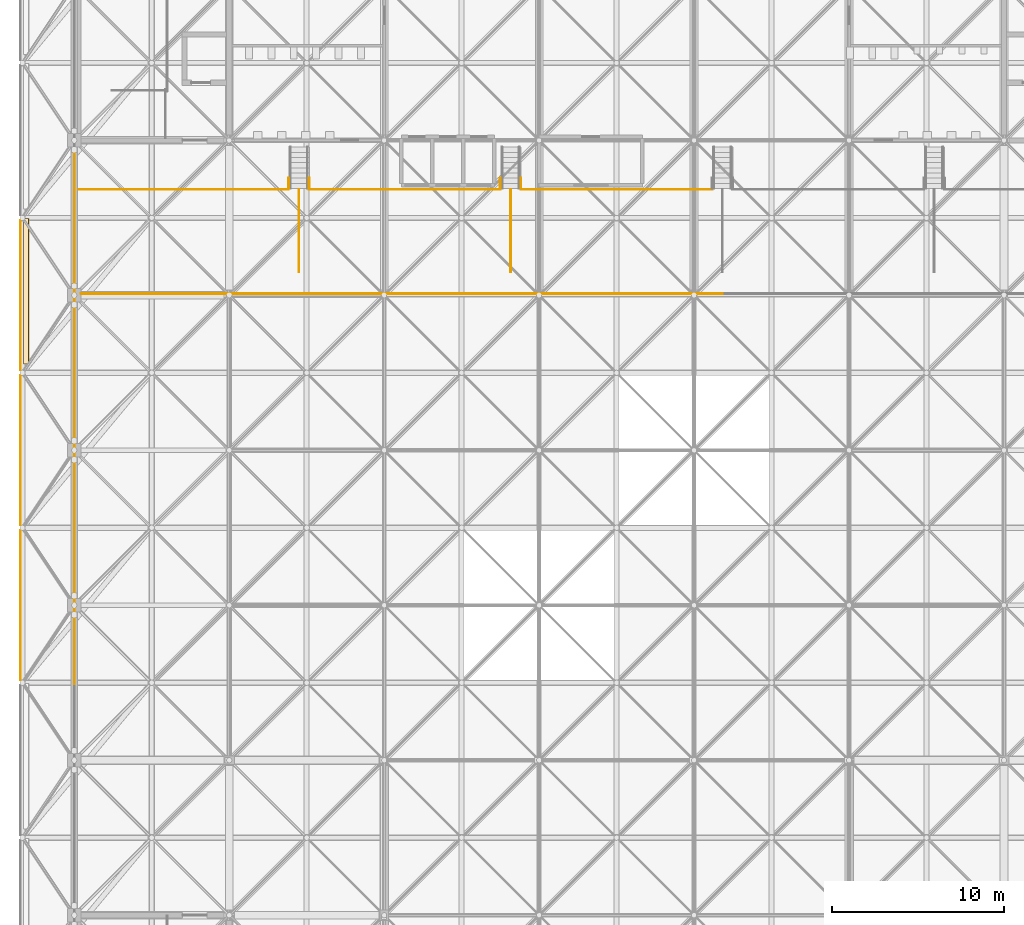
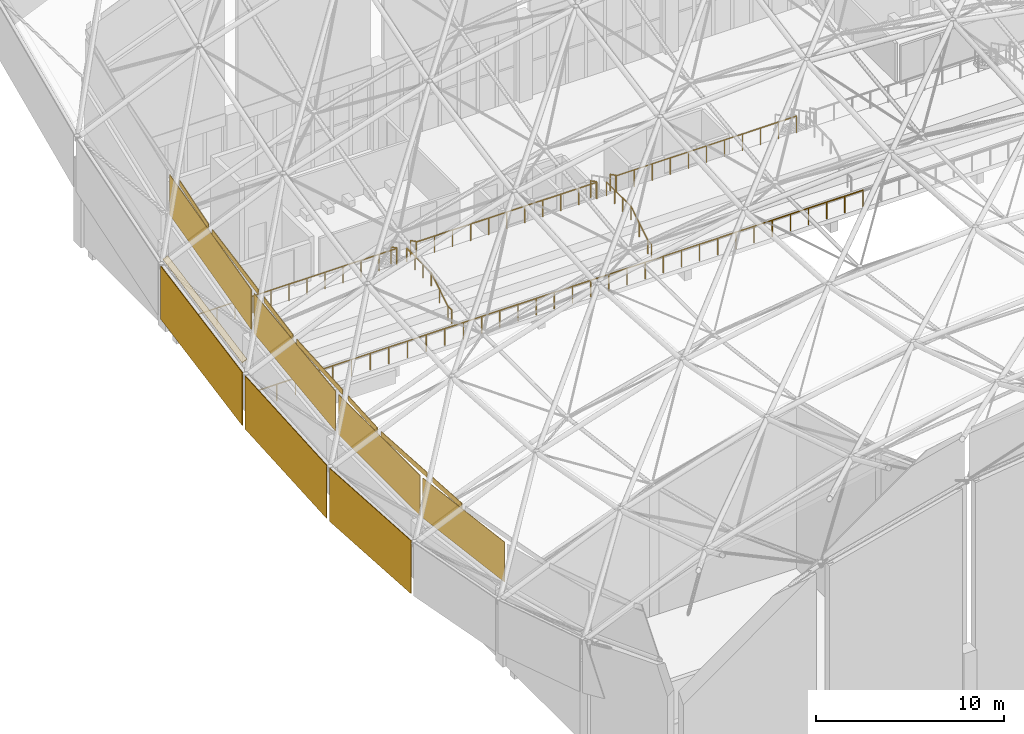
# One storey, part 419 of 437: 15 coverings, 12 railings.
"""IFC4 building model written with IfcOpenShell, lengths in metres."""

from ifc_helpers import new_model, si_unit, direction, frame, origin, origin_2d, place, context, subcontext, project, spatial, polyline, circle, outline, extrude, material, layer, layer_set, constituent, constituent_set, type_object, element, save


model = new_model("IFC4")

# Units and contexts
model_context = context("Model", 3, precision=1e-05, world=origin(), true_north=direction((0.0, 1.0)))
body_context = subcontext(model_context, "Body", "Model", "MODEL_VIEW")
ifc_project = project(units=[si_unit("LENGTHUNIT", "METRE"), si_unit("AREAUNIT", "SQUARE_METRE"), si_unit("VOLUMEUNIT", "CUBIC_METRE"), si_unit("PLANEANGLEUNIT", "RADIAN"), si_unit("MASSUNIT", "GRAM", prefix="KILO")], contexts=[model_context])

# Site, building, storey
site_placement = place(None, origin())
site = spatial("IfcSite", under=ifc_project, at=site_placement, CompositionType="ELEMENT")
building_placement = place(site_placement, origin())
building = spatial("IfcBuilding", under=site, at=building_placement, Name="Opaline Strait Convention Centre", CompositionType="ELEMENT")
storey_placement = place(building_placement, frame((0.0, 0.0, 11.5)))
storey = spatial("IfcBuildingStorey", under=building, at=storey_placement, Name="L02", CompositionType="ELEMENT", Elevation=11.5)

# Railings
ifc_material_1 = material(Name="Stainless steel 304", Category="steel")
railing_type_1 = type_object("IfcRailingType", Name="Aisle handrail 900", PredefinedType="HANDRAIL", material=ifc_material_1)
for number, where, name in (
    (1, (22.050048828125, 163.35009765625, 0.25), "PHR1 Upper Circle aisle 1 handrail"),
    (2, (34.35009765625, 163.35009765625, 0.25), "PHR1 Upper Circle aisle 2 handrail"),
):
    element("IfcRailing", number, at=place(storey_placement, frame(where)), inside=storey, type_object=railing_type_1, Name=name, PredefinedType="HANDRAIL", context=body_context, shape_type="SweptSolid", body=[
        extrude(circle(Radius=0.02392578125, at=origin_2d()), frame((0.0, 0.0, 0.8759765625), z_axis=(0.0, 1.0, 0.0), x_axis=(-1.0, 0.0, 0.0)), (0.0, 0.0, 1.0), 0.39990234375),
        extrude(circle(Radius=0.02392578125, at=origin_2d()), frame((0.0, 0.39990234375, 0.8759765625), z_axis=(0.0, 0.851174308656, 0.524883126309), x_axis=(-1.0, 0.0, 0.0)), (0.0, 0.0, 1.0), 1.05712890625),
        extrude(circle(Radius=0.02392578125, at=origin_2d()), frame((0.0, 1.2998046875, 1.4306640625), z_axis=(0.0, 0.849483496517, 0.527615190405), x_axis=(-1.0, 0.0, 0.0)), (0.0, 0.0, 1.0), 1.0595703125),
        extrude(circle(Radius=0.02392578125, at=origin_2d()), frame((0.0, 2.199951171875, 1.98974609375), z_axis=(0.0, 1.0, 0.0), x_axis=(-1.0, 0.0, 0.0)), (0.0, 0.0, 1.0), 2.599853515625),
        extrude(circle(Radius=0.02099609375, at=origin_2d()), origin(), (0.0, 0.0, 1.0), 0.851806640625),
        extrude(circle(Radius=0.02099609375, at=origin_2d()), frame((0.0, 0.39990234375, 0.0)), (0.0, 0.0, 1.0), 0.851806640625),
        extrude(circle(Radius=0.02099609375, at=origin_2d()), frame((0.0, 1.2998046875, 0.554931640625)), (0.0, 0.0, 1.0), 0.851806640625),
        extrude(circle(Radius=0.02099609375, at=origin_2d()), frame((0.0, 2.199951171875, 1.114013671875)), (0.0, 0.0, 1.0), 0.851806640625),
        extrude(circle(Radius=0.02099609375, at=origin_2d()), frame((0.0, 3.066650390625, 1.114013671875)), (0.0, 0.0, 1.0), 0.851806640625),
        extrude(circle(Radius=0.02099609375, at=origin_2d()), frame((0.0, 3.93310546875, 1.114013671875)), (0.0, 0.0, 1.0), 0.851806640625),
        extrude(circle(Radius=0.02099609375, at=origin_2d()), frame((0.0, 4.7998046875, 1.114013671875)), (0.0, 0.0, 1.0), 0.851806640625),
    ])
ifc_material_2 = material(Name="Steel Q355B", Category="steel")
ifc_constituent_1 = constituent(ifc_material_2, Name="Frame")
ifc_material_3 = material(Name="Safety glass, bonded interlayer", Category="glass")
ifc_constituent_2 = constituent(ifc_material_3, Name="Infill")
ifc_constituent_set = constituent_set(constituents=[ifc_constituent_1, ifc_constituent_2], Name="Steel Q355B, Safety glass, bonded interlayer")
railing_type_2 = type_object("IfcRailingType", Name="Seating guard 1100 steel and glass", PredefinedType="GUARDRAIL", material=ifc_constituent_set)
for number, where, name in (
    (3, (21.449951171875, 168.800048828125, 1.060791015625), "PGD1 Upper Circle entry stair 1 guard"),
    (4, (22.64990234375, 168.800048828125, 1.060791015625), "PGD1 Upper Circle entry stair 1 guard"),
    (5, (33.75, 168.800048828125, 1.060791015625), "PGD1 Upper Circle entry stair 2 guard"),
    (6, (34.949951171875, 168.800048828125, 1.060791015625), "PGD1 Upper Circle entry stair 2 guard"),
):
    element("IfcRailing", number, at=place(storey_placement, frame(where)), inside=storey, type_object=railing_type_2, Name=name, PredefinedType="GUARDRAIL", context=body_context, shape_type="SweptSolid", body=[
        extrude(circle(Radius=0.02392578125, at=origin_2d()), frame((0.0, 0.0, 1.076171875), z_axis=(0.0, -0.892531032756, 0.450985981564), x_axis=(1.0, 0.0, 0.0)), (0.0, 0.0, 1.0), 0.67236328125),
        extrude(circle(Radius=0.02099609375, at=origin_2d()), origin(), (0.0, 0.0, 1.0), 1.052001953125),
        extrude(circle(Radius=0.02099609375, at=origin_2d()), frame((0.0, -0.60009765625, 0.30322265625)), (0.0, 0.0, 1.0), 1.052001953125),
    ])
railing_1_placement = place(storey_placement, frame((9.25, 168.14990234375, 1.364013671875)))
element("IfcRailing", 7, at=railing_1_placement, inside=storey, type_object=railing_type_2, Name="PGD1 Upper Circle rear cross aisle guard 1", PredefinedType="GUARDRAIL", context=body_context, shape_type="SweptSolid", body=[
    extrude(circle(Radius=0.02392578125, at=origin_2d()), frame((0.0, 0.0, 1.076171875), z_axis=(1.0, 0.0, 0.0), x_axis=(0.0, 1.0, 0.0)), (0.0, 0.0, 1.0), 12.199951171875),
    extrude(circle(Radius=0.02099609375, at=origin_2d()), origin(), (0.0, 0.0, 1.0), 1.052001953125),
    extrude(circle(Radius=0.02099609375, at=origin_2d()), frame((1.109130859375, 0.0, 0.0)), (0.0, 0.0, 1.0), 1.052001953125),
    extrude(circle(Radius=0.02099609375, at=origin_2d()), frame((2.21826171875, 0.0, 0.0)), (0.0, 0.0, 1.0), 1.052001953125),
    extrude(circle(Radius=0.02099609375, at=origin_2d()), frame((3.3271484375, 0.0, 0.0)), (0.0, 0.0, 1.0), 1.052001953125),
    extrude(circle(Radius=0.02099609375, at=origin_2d()), frame((4.436279296875, 0.0, 0.0)), (0.0, 0.0, 1.0), 1.052001953125),
    extrude(circle(Radius=0.02099609375, at=origin_2d()), frame((5.54541015625, 0.0, 0.0)), (0.0, 0.0, 1.0), 1.052001953125),
    extrude(circle(Radius=0.02099609375, at=origin_2d()), frame((6.654541015625, 0.0, 0.0)), (0.0, 0.0, 1.0), 1.052001953125),
    extrude(circle(Radius=0.02099609375, at=origin_2d()), frame((7.763671875, 0.0, 0.0)), (0.0, 0.0, 1.0), 1.052001953125),
    extrude(circle(Radius=0.02099609375, at=origin_2d()), frame((8.872802734375, 0.0, 0.0)), (0.0, 0.0, 1.0), 1.052001953125),
    extrude(circle(Radius=0.02099609375, at=origin_2d()), frame((9.981689453125, 0.0, 0.0)), (0.0, 0.0, 1.0), 1.052001953125),
    extrude(circle(Radius=0.02099609375, at=origin_2d()), frame((11.0908203125, 0.0, 0.0)), (0.0, 0.0, 1.0), 1.052001953125),
    extrude(circle(Radius=0.02099609375, at=origin_2d()), frame((12.199951171875, 0.0, 0.0)), (0.0, 0.0, 1.0), 1.052001953125),
])
for number, where, name in (
    (8, (22.64990234375, 168.14990234375, 1.364013671875), "PGD1 Upper Circle rear cross aisle guard 2"),
    (9, (34.949951171875, 168.14990234375, 1.364013671875), "PGD1 Upper Circle rear cross aisle guard 3"),
):
    element("IfcRailing", number, at=place(storey_placement, frame(where)), inside=storey, type_object=railing_type_2, Name=name, PredefinedType="GUARDRAIL", context=body_context, shape_type="SweptSolid", body=[
        extrude(circle(Radius=0.02392578125, at=origin_2d()), frame((0.0, 0.0, 1.076171875), z_axis=(1.0, 0.0, 0.0), x_axis=(0.0, 1.0, 0.0)), (0.0, 0.0, 1.0), 11.10009765625),
        extrude(circle(Radius=0.02099609375, at=origin_2d()), origin(), (0.0, 0.0, 1.0), 1.052001953125),
        extrude(circle(Radius=0.02099609375, at=origin_2d()), frame((1.110107421875, 0.0, 0.0)), (0.0, 0.0, 1.0), 1.052001953125),
        extrude(circle(Radius=0.02099609375, at=origin_2d()), frame((2.219970703125, 0.0, 0.0)), (0.0, 0.0, 1.0), 1.052001953125),
        extrude(circle(Radius=0.02099609375, at=origin_2d()), frame((3.330078125, 0.0, 0.0)), (0.0, 0.0, 1.0), 1.052001953125),
        extrude(circle(Radius=0.02099609375, at=origin_2d()), frame((4.43994140625, 0.0, 0.0)), (0.0, 0.0, 1.0), 1.052001953125),
        extrude(circle(Radius=0.02099609375, at=origin_2d()), frame((5.550048828125, 0.0, 0.0)), (0.0, 0.0, 1.0), 1.052001953125),
        extrude(circle(Radius=0.02099609375, at=origin_2d()), frame((6.66015625, 0.0, 0.0)), (0.0, 0.0, 1.0), 1.052001953125),
        extrude(circle(Radius=0.02099609375, at=origin_2d()), frame((7.77001953125, 0.0, 0.0)), (0.0, 0.0, 1.0), 1.052001953125),
        extrude(circle(Radius=0.02099609375, at=origin_2d()), frame((8.880126953125, 0.0, 0.0)), (0.0, 0.0, 1.0), 1.052001953125),
        extrude(circle(Radius=0.02099609375, at=origin_2d()), frame((9.989990234375, 0.0, 0.0)), (0.0, 0.0, 1.0), 1.052001953125),
        extrude(circle(Radius=0.02099609375, at=origin_2d()), frame((11.10009765625, 0.0, 0.0)), (0.0, 0.0, 1.0), 1.052001953125),
    ])
railing_2_placement = place(storey_placement, frame((9.39990234375, 162.10009765625, 0.0)))
element("IfcRailing", 10, at=railing_2_placement, inside=storey, type_object=railing_type_2, Name="PGD1 Upper Circle front guard 1", PredefinedType="GUARDRAIL", context=body_context, shape_type="SweptSolid", body=[
    extrude(circle(Radius=0.02392578125, at=origin_2d()), frame((0.0, 0.0, 1.076171875), z_axis=(1.0, 0.0, 0.0), x_axis=(0.0, 1.0, 0.0)), (0.0, 0.0, 1.0), 12.650146484375),
    extrude(circle(Radius=0.02099609375, at=origin_2d()), origin(), (0.0, 0.0, 1.0), 1.052001953125),
    extrude(circle(Radius=0.02099609375, at=origin_2d()), frame((1.14990234375, 0.0, 0.0)), (0.0, 0.0, 1.0), 1.052001953125),
    extrude(circle(Radius=0.02099609375, at=origin_2d()), frame((2.300048828125, 0.0, 0.0)), (0.0, 0.0, 1.0), 1.052001953125),
    extrude(circle(Radius=0.02099609375, at=origin_2d()), frame((3.449951171875, 0.0, 0.0)), (0.0, 0.0, 1.0), 1.052001953125),
    extrude(circle(Radius=0.02099609375, at=origin_2d()), frame((4.60009765625, 0.0, 0.0)), (0.0, 0.0, 1.0), 1.052001953125),
    extrude(circle(Radius=0.02099609375, at=origin_2d()), frame((5.75, 0.0, 0.0)), (0.0, 0.0, 1.0), 1.052001953125),
    extrude(circle(Radius=0.02099609375, at=origin_2d()), frame((6.900146484375, 0.0, 0.0)), (0.0, 0.0, 1.0), 1.052001953125),
    extrude(circle(Radius=0.02099609375, at=origin_2d()), frame((8.050048828125, 0.0, 0.0)), (0.0, 0.0, 1.0), 1.052001953125),
    extrude(circle(Radius=0.02099609375, at=origin_2d()), frame((9.2001953125, 0.0, 0.0)), (0.0, 0.0, 1.0), 1.052001953125),
    extrude(circle(Radius=0.02099609375, at=origin_2d()), frame((10.35009765625, 0.0, 0.0)), (0.0, 0.0, 1.0), 1.052001953125),
    extrude(circle(Radius=0.02099609375, at=origin_2d()), frame((11.500244140625, 0.0, 0.0)), (0.0, 0.0, 1.0), 1.052001953125),
    extrude(circle(Radius=0.02099609375, at=origin_2d()), frame((12.650146484375, 0.0, 0.0)), (0.0, 0.0, 1.0), 1.052001953125),
])
railing_3_placement = place(storey_placement, frame((22.050048828125, 162.10009765625, 0.0)))
element("IfcRailing", 11, at=railing_3_placement, inside=storey, type_object=railing_type_2, Name="PGD1 Upper Circle front guard 2", PredefinedType="GUARDRAIL", context=body_context, shape_type="SweptSolid", body=[
    extrude(circle(Radius=0.02392578125, at=origin_2d()), frame((0.0, 0.0, 1.076171875), z_axis=(1.0, 0.0, 0.0), x_axis=(0.0, 1.0, 0.0)), (0.0, 0.0, 1.0), 12.300048828125),
    extrude(circle(Radius=0.02099609375, at=origin_2d()), origin(), (0.0, 0.0, 1.0), 1.052001953125),
    extrude(circle(Radius=0.02099609375, at=origin_2d()), frame((1.1181640625, 0.0, 0.0)), (0.0, 0.0, 1.0), 1.052001953125),
    extrude(circle(Radius=0.02099609375, at=origin_2d()), frame((2.236328125, 0.0, 0.0)), (0.0, 0.0, 1.0), 1.052001953125),
    extrude(circle(Radius=0.02099609375, at=origin_2d()), frame((3.3544921875, 0.0, 0.0)), (0.0, 0.0, 1.0), 1.052001953125),
    extrude(circle(Radius=0.02099609375, at=origin_2d()), frame((4.47265625, 0.0, 0.0)), (0.0, 0.0, 1.0), 1.052001953125),
    extrude(circle(Radius=0.02099609375, at=origin_2d()), frame((5.5908203125, 0.0, 0.0)), (0.0, 0.0, 1.0), 1.052001953125),
    extrude(circle(Radius=0.02099609375, at=origin_2d()), frame((6.709228515625, 0.0, 0.0)), (0.0, 0.0, 1.0), 1.052001953125),
    extrude(circle(Radius=0.02099609375, at=origin_2d()), frame((7.827392578125, 0.0, 0.0)), (0.0, 0.0, 1.0), 1.052001953125),
    extrude(circle(Radius=0.02099609375, at=origin_2d()), frame((8.945556640625, 0.0, 0.0)), (0.0, 0.0, 1.0), 1.052001953125),
    extrude(circle(Radius=0.02099609375, at=origin_2d()), frame((10.063720703125, 0.0, 0.0)), (0.0, 0.0, 1.0), 1.052001953125),
    extrude(circle(Radius=0.02099609375, at=origin_2d()), frame((11.181884765625, 0.0, 0.0)), (0.0, 0.0, 1.0), 1.052001953125),
    extrude(circle(Radius=0.02099609375, at=origin_2d()), frame((12.300048828125, 0.0, 0.0)), (0.0, 0.0, 1.0), 1.052001953125),
])
railing_4_placement = place(storey_placement, frame((34.35009765625, 162.10009765625, 0.0)))
element("IfcRailing", 12, at=railing_4_placement, inside=storey, type_object=railing_type_2, Name="PGD1 Upper Circle front guard 3", PredefinedType="GUARDRAIL", context=body_context, shape_type="SweptSolid", body=[
    extrude(circle(Radius=0.02392578125, at=origin_2d()), frame((0.0, 0.0, 1.076171875), z_axis=(1.0, 0.0, 0.0), x_axis=(0.0, 1.0, 0.0)), (0.0, 0.0, 1.0), 12.2998046875),
    extrude(circle(Radius=0.02099609375, at=origin_2d()), origin(), (0.0, 0.0, 1.0), 1.052001953125),
    extrude(circle(Radius=0.02099609375, at=origin_2d()), frame((1.1181640625, 0.0, 0.0)), (0.0, 0.0, 1.0), 1.052001953125),
    extrude(circle(Radius=0.02099609375, at=origin_2d()), frame((2.236328125, 0.0, 0.0)), (0.0, 0.0, 1.0), 1.052001953125),
    extrude(circle(Radius=0.02099609375, at=origin_2d()), frame((3.3544921875, 0.0, 0.0)), (0.0, 0.0, 1.0), 1.052001953125),
    extrude(circle(Radius=0.02099609375, at=origin_2d()), frame((4.47265625, 0.0, 0.0)), (0.0, 0.0, 1.0), 1.052001953125),
    extrude(circle(Radius=0.02099609375, at=origin_2d()), frame((5.5908203125, 0.0, 0.0)), (0.0, 0.0, 1.0), 1.052001953125),
    extrude(circle(Radius=0.02099609375, at=origin_2d()), frame((6.708984375, 0.0, 0.0)), (0.0, 0.0, 1.0), 1.052001953125),
    extrude(circle(Radius=0.02099609375, at=origin_2d()), frame((7.8271484375, 0.0, 0.0)), (0.0, 0.0, 1.0), 1.052001953125),
    extrude(circle(Radius=0.02099609375, at=origin_2d()), frame((8.9453125, 0.0, 0.0)), (0.0, 0.0, 1.0), 1.052001953125),
    extrude(circle(Radius=0.02099609375, at=origin_2d()), frame((10.0634765625, 0.0, 0.0)), (0.0, 0.0, 1.0), 1.052001953125),
    extrude(circle(Radius=0.02099609375, at=origin_2d()), frame((11.181640625, 0.0, 0.0)), (0.0, 0.0, 1.0), 1.052001953125),
    extrude(circle(Radius=0.02099609375, at=origin_2d()), frame((12.2998046875, 0.0, 0.0)), (0.0, 0.0, 1.0), 1.052001953125),
])

# Coverings
ifc_material_4 = material(Name="Standing seam aluminium edge flashing, white", Category="aluminium")
ifc_layer_1 = layer(ifc_material_4, 0.030029296875)
ifc_layer_set_1 = layer_set([ifc_layer_1], Name="Standing seam aluminium edge flashing, white")
covering_type_1 = type_object("IfcCoveringType", Name="Shell edge flashing 30", PredefinedType="ROOFING", material=ifc_layer_set_1)
covering_1_placement = place(storey_placement, frame((6.050048828125, 158.0, 6.5458984375), z_axis=(-0.392251562913, -0.172114766869, 0.903612316438), x_axis=(0.917297252512, 5.8031777e-05, 0.398203148113)))
element("IfcCovering", 13, at=covering_1_placement, inside=storey, type_object=covering_type_1, Name="PEF1 edge flashing 11", PredefinedType="ROOFING", context=body_context, shape_type="SweptSolid", body=[
    extrude(outline(polyline([(0.0, 0.0), (0.32714814561255307, -3.469446951953614e-18), (0.9684967027870746, 8.577903864799362), (0.6414457747399787, 8.577942404262183), (0.0, 0.0)])), origin(), (0.0, 0.0, -1.0), 0.030029296875),
])
ifc_material_5 = material(Name="Aluminium composite cladding panel, white", Category="aluminium")
ifc_layer_2 = layer(ifc_material_5, 0.0400390625)
ifc_layer_set_2 = layer_set([ifc_layer_2], Name="Aluminium composite cladding panel, white")
covering_type_2 = type_object("IfcCoveringType", Name="Shell edge frieze panel 40", PredefinedType="CLADDING", material=ifc_layer_set_2)
covering_2_placement = place(storey_placement, frame((9.0, 135.14990234375, 7.690673828125), z_axis=(-1.0, 0.0, 0.0), x_axis=(0.0, 0.992030967972, -0.125994279971)))
element("IfcCovering", 14, at=covering_2_placement, inside=storey, type_object=covering_type_2, Name="PFR1 frieze panel W 3", PredefinedType="CLADDING", context=body_context, shape_type="SweptSolid", body=[
    extrude(outline(polyline([(0.0, 0.0), (8.770084395943172, 0.0), (9.097743348640671, 2.579861784871417), (0.3276897130197563, 2.5801039799319567), (0.0, 0.0)])), origin(), (0.0, 0.0, -1.0), 0.0400390625),
])
covering_3_placement = place(storey_placement, frame((9.0, 144.14990234375, 6.56689453125), z_axis=(-1.0, 0.0, 0.0), x_axis=(0.0, 1.0, 0.0)))
element("IfcCovering", 15, at=covering_3_placement, inside=storey, type_object=covering_type_2, Name="PFR1 frieze panel W 4", PredefinedType="CLADDING", context=body_context, shape_type="SweptSolid", body=[
    extrude(outline(polyline([(0.0, 0.0), (8.7001953125, 0.0), (8.7001953125, 2.601806640625), (0.0, 2.601806640625), (0.0, 0.0)])), origin(), (0.0, 0.0, -1.0), 0.0400390625),
])
covering_4_placement = place(storey_placement, frame((9.0, 153.14990234375, 6.585693359375), z_axis=(-1.0, 0.0, 0.0), x_axis=(0.0, 0.992030967972, 0.125994279971)))
element("IfcCovering", 16, at=covering_4_placement, inside=storey, type_object=covering_type_2, Name="PFR1 frieze panel W 5", PredefinedType="CLADDING", context=body_context, shape_type="SweptSolid", body=[
    extrude(outline(polyline([(0.0, 0.0), (8.770084395943172, 0.0), (8.442394682923416, 2.5801039799319567), (-0.32765895269749784, 2.579861784871417), (0.0, 0.0)])), origin(), (0.0, 0.0, -1.0), 0.0400390625),
])
covering_5_placement = place(storey_placement, frame((9.0, 162.14990234375, 7.747802734375), z_axis=(-1.0, 0.0, 0.0), x_axis=(0.0, 0.969233447146, 0.246143301624)))
element("IfcCovering", 17, at=covering_5_placement, inside=storey, type_object=covering_type_2, Name="PFR1 frieze panel W 6", PredefinedType="CLADDING", context=body_context, shape_type="SweptSolid", body=[
    extrude(outline(polyline([(0.0, 0.0), (8.976367188031215, 0.0), (8.337031595751883, 2.5174986924272122), (-0.6393355922793319, 2.5174986924272122), (0.0, 0.0)])), origin(), (0.0, 0.0, -1.0), 0.0400390625),
])
covering_6_placement = place(storey_placement, frame((9.0, 139.699951171875, 7.46044921875), z_axis=(-1.0, 0.0, 0.0), x_axis=(0.0, 0.99799155694, -0.063347077878)))
element("IfcCovering", 18, at=covering_6_placement, inside=storey, type_object=covering_type_2, Name="PFR1 frieze strip W 6", PredefinedType="CLADDING", context=body_context, shape_type="SweptSolid", body=[
    extrude(outline(polyline([(0.0, 0.0), (3.106336556347372, 0.0), (3.127555352941249, 0.3342881875298417), (0.021218796593877175, 0.33428818752984163), (0.0, 0.0)])), origin(), (0.0, 0.0, -1.0), 0.0400390625),
])
covering_7_placement = place(storey_placement, frame((9.0, 143.39990234375, 7.2255859375), z_axis=(-1.0, 0.0, 0.0), x_axis=(0.0, 0.997991550504, -0.063347179281)))
element("IfcCovering", 19, at=covering_7_placement, inside=storey, type_object=covering_type_2, Name="PFR1 frieze strip W 7", PredefinedType="CLADDING", context=body_context, shape_type="SweptSolid", body=[
    extrude(outline(polyline([(0.0, 0.0), (4.910007987443211, 0.0), (4.931226818003039, 0.3342881853738661), (0.02121883055982788, 0.33428818537386606), (0.0, 0.0)])), origin(), (0.0, 0.0, -1.0), 0.0400390625),
])
covering_8_placement = place(storey_placement, frame((9.0, 148.699951171875, 6.91455078125), z_axis=(-1.0, 0.0, 0.0), x_axis=(0.0, 0.99799155694, 0.063347077878)))
element("IfcCovering", 20, at=covering_8_placement, inside=storey, type_object=covering_type_2, Name="PFR1 frieze strip W 8", PredefinedType="CLADDING", context=body_context, shape_type="SweptSolid", body=[
    extrude(outline(polyline([(0.0, 0.0), (3.106336556347372, 0.0), (3.0851177597534947, 0.33428818752984163), (-0.021218796593877175, 0.33428818752984163), (0.0, 0.0)])), origin(), (0.0, 0.0, -1.0), 0.0400390625),
])
covering_9_placement = place(storey_placement, frame((9.0, 152.39990234375, 7.1494140625), z_axis=(-1.0, 0.0, 0.0), x_axis=(0.0, 0.997991550504, 0.063347179281)))
element("IfcCovering", 21, at=covering_9_placement, inside=storey, type_object=covering_type_2, Name="PFR1 frieze strip W 9", PredefinedType="CLADDING", context=body_context, shape_type="SweptSolid", body=[
    extrude(outline(polyline([(0.0, 0.0), (4.910007987443211, 0.0), (4.888789156883384, 0.334288185373866), (-0.02121883055982788, 0.33428818537386606), (0.0, 0.0)])), origin(), (0.0, 0.0, -1.0), 0.0400390625),
])
covering_10_placement = place(storey_placement, frame((9.0, 157.699951171875, 7.51123046875), z_axis=(-1.0, 0.0, 0.0), x_axis=(0.0, 0.982333826246, 0.1871369921)))
element("IfcCovering", 22, at=covering_10_placement, inside=storey, type_object=covering_type_2, Name="PFR1 frieze strip W 10", PredefinedType="CLADDING", context=body_context, shape_type="SweptSolid", body=[
    extrude(outline(polyline([(0.0, 0.0), (3.155849440811978, 0.0), (3.0931658584971276, 0.3290434593774147), (-0.06268358231485006, 0.3290434593774147), (0.0, 0.0)])), origin(), (0.0, 0.0, -1.0), 0.0400390625),
])
covering_11_placement = place(storey_placement, frame((9.0, 161.39990234375, 8.216064453125), z_axis=(-1.0, 0.0, 0.0), x_axis=(0.0, 0.982338994807, 0.187109858858)))
element("IfcCovering", 23, at=covering_11_placement, inside=storey, type_object=covering_type_2, Name="PFR1 frieze strip W 11", PredefinedType="CLADDING", context=body_context, shape_type="SweptSolid", body=[
    extrude(outline(polyline([(0.0, 0.0), (4.9882438855426, 0.0), (4.925569391803908, 0.32904519064328774), (-0.06267449373869209, 0.32904519064328774), (0.0, 0.0)])), origin(), (0.0, 0.0, -1.0), 0.0400390625),
])
covering_12_placement = place(storey_placement, frame((9.0, 166.699951171875, 9.2509765625), z_axis=(-1.0, 0.0, 0.0), x_axis=(0.0, 0.95312667237, 0.302571555861)))
element("IfcCovering", 24, at=covering_12_placement, inside=storey, type_object=covering_type_2, Name="PFR1 frieze strip W 12", PredefinedType="CLADDING", context=body_context, shape_type="SweptSolid", body=[
    extrude(outline(polyline([(0.0, 0.0), (3.2525557684167263, -1.1102230246251565e-16), (3.1512061164046425, 0.31926020373342556), (-0.1013496520120837, 0.3192602037334257), (0.0, 0.0)])), origin(), (0.0, 0.0, -1.0), 0.0400390625),
])
covering_13_placement = place(storey_placement, frame((5.8505859375, 139.64990234375, 6.153076171875), z_axis=(-1.0, 0.0, 0.0), x_axis=(0.0, 0.997989749805, -0.063375541694)))
element("IfcCovering", 25, at=covering_13_placement, inside=storey, type_object=covering_type_2, Name="PFR1 fascia panel W 4", PredefinedType="CLADDING", context=body_context, shape_type="SweptSolid", body=[
    extrude(outline(polyline([(0.0, 0.0), (8.717720111056945, 0.0), (8.936826811723176, 3.4503254020953458), (0.2191067006662298, 3.4503254020953453), (0.0, 0.0)])), origin(), (0.0, 0.0, -1.0), 0.0400390625),
])
covering_14_placement = place(storey_placement, frame((5.8505859375, 148.64990234375, 5.6005859375), z_axis=(-1.0, 0.0, 0.0), x_axis=(0.0, 0.997989749805, 0.063375541694)))
element("IfcCovering", 26, at=covering_14_placement, inside=storey, type_object=covering_type_2, Name="PFR1 fascia panel W 5", PredefinedType="CLADDING", context=body_context, shape_type="SweptSolid", body=[
    extrude(outline(polyline([(0.0, 0.0), (8.717720111056945, 0.0), (8.498613410390716, 3.450325402095345), (-0.2191067006662298, 3.4503254020953453), (0.0, 0.0)])), origin(), (0.0, 0.0, -1.0), 0.0400390625),
])
covering_15_placement = place(storey_placement, frame((5.8505859375, 157.64990234375, 6.191162109375), z_axis=(-1.0, 0.0, 0.0), x_axis=(0.0, 0.982337601302, 0.187117174701)))
element("IfcCovering", 27, at=covering_15_placement, inside=storey, type_object=covering_type_2, Name="PFR1 fascia panel W 6", PredefinedType="CLADDING", context=body_context, shape_type="SweptSolid", body=[
    extrude(outline(polyline([(0.0, 0.0), (8.85662454635526, 0.0), (8.209708943098809, 3.3962116142673717), (-0.6469156032564519, 3.3962116142673717), (0.0, 0.0)])), origin(), (0.0, 0.0, -1.0), 0.0400390625),
])

save(model, "model.ifc")
